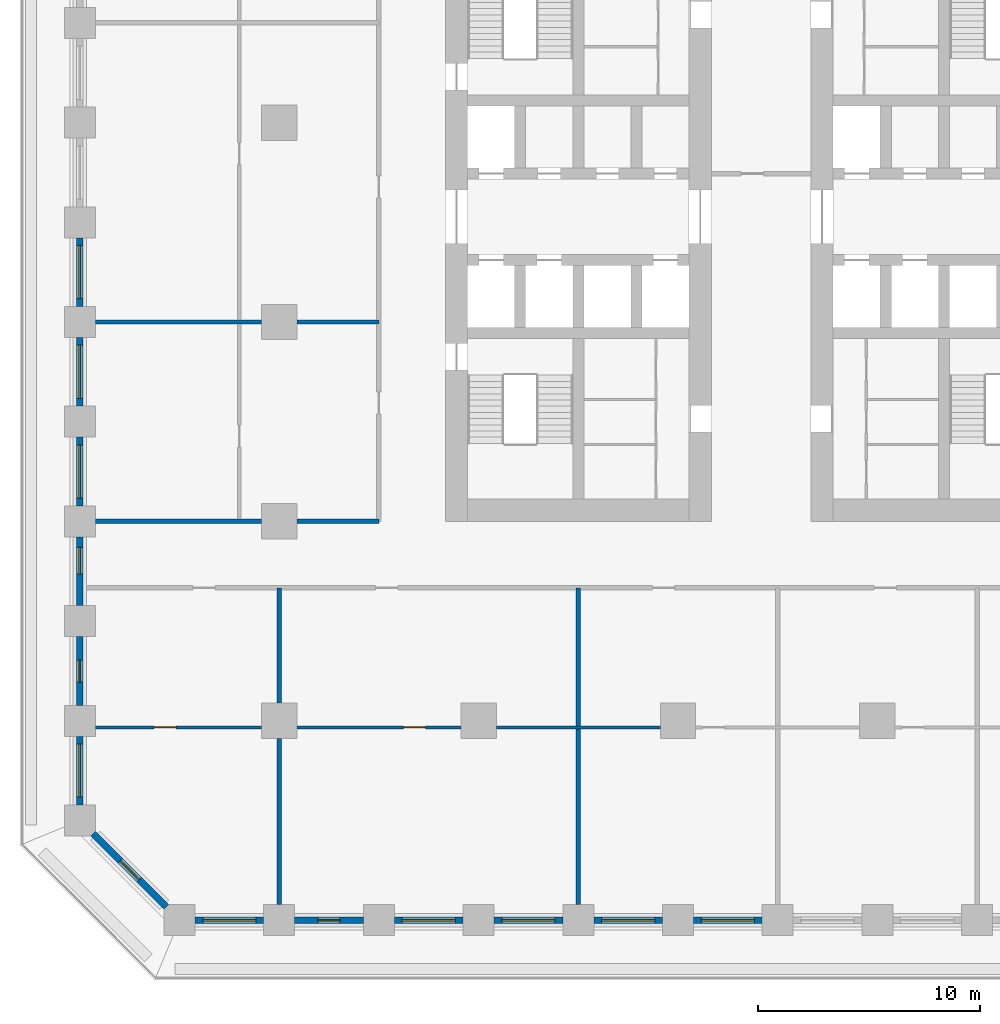
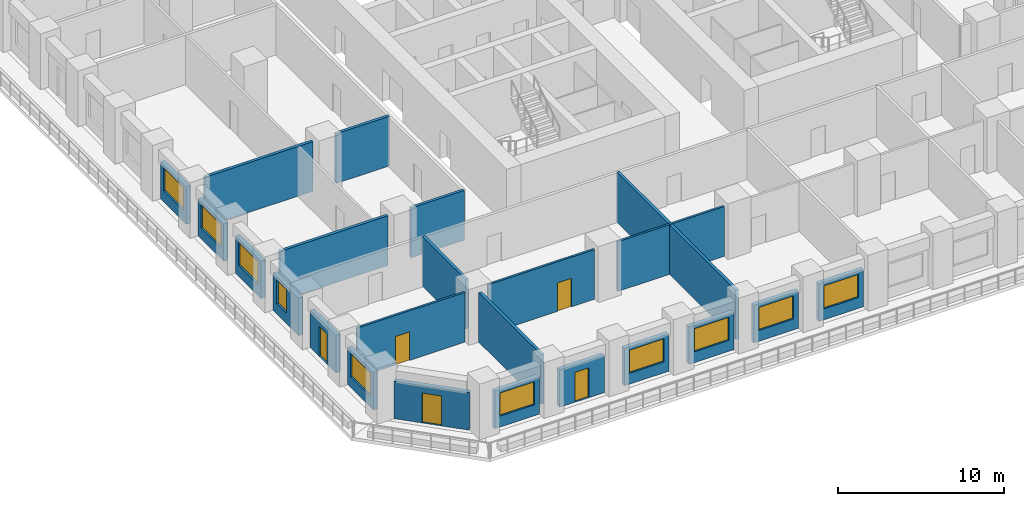
# One storey, part 25 of 42: 23 walls, 10 windows, 5 doors, 15 openings.
"""IFC4 building model written with IfcOpenShell, lengths in metres."""

from ifc_helpers import new_model, si_unit, direction, frame, frame_2d, origin, place, context, subcontext, project, spatial, rectangle, extrude, material, layer, layer_set, type_object, element, fill, save


model = new_model("IFC4")

# Units and contexts
model_context = context("Model", 3, precision=1e-05, world=origin(), true_north=direction((0.0, 1.0)))
body_context = subcontext(model_context, "Body", "Model", "MODEL_VIEW")
ifc_project = project(units=[si_unit("LENGTHUNIT", "METRE"), si_unit("AREAUNIT", "SQUARE_METRE"), si_unit("VOLUMEUNIT", "CUBIC_METRE"), si_unit("PLANEANGLEUNIT", "RADIAN"), si_unit("MASSUNIT", "GRAM", prefix="KILO")], contexts=[model_context])

# Site, building, storey
site_placement = place(None, origin())
site = spatial("IfcSite", under=ifc_project, at=site_placement, CompositionType="ELEMENT")
building_placement = place(site_placement, origin())
building = spatial("IfcBuilding", under=site, at=building_placement, Name="Corbel Stack Research Tower", CompositionType="ELEMENT")
storey_placement = place(building_placement, frame((0.0, 0.0, 11.300048828125)))
storey = spatial("IfcBuildingStorey", under=building, at=storey_placement, Name="L02", CompositionType="ELEMENT", Elevation=11.300048828125)

# Walls
ifc_material_1 = material(Name="Fire-rated gypsum board partition on steel studs", Category="steel")
ifc_layer_1 = layer(ifc_material_1, 0.199951171875)
ifc_layer_set_1 = layer_set([ifc_layer_1], Name="Fire-rated gypsum board partition on steel studs")
wall_type_1 = type_object("IfcWallType", Name="Fire-rated partition 200 EI 60", PredefinedType="PARTITIONING", material=ifc_layer_set_1)
wall_1_placement = place(storey_placement, frame((-18.0, -26.300048828125, 0.0), z_axis=(0.0, 0.0, 1.0), x_axis=(0.0, 1.0, 0.0)))
element("IfcWall", 1, at=wall_1_placement, inside=storey, type_object=wall_type_1, Name="Partition L02-002", PredefinedType="PARTITIONING", context=body_context, shape_type="SweptSolid", body=[
    extrude(rectangle(XDim=7.5, YDim=0.199951171875, at=frame_2d((3.75, 0.0))), origin(), (0.0, 0.0, 1.0), 3.64990234375),
])
wall_2_placement = place(storey_placement, frame((-18.0, -17.199951171875, 0.0), z_axis=(0.0, 0.0, 1.0), x_axis=(0.0, 1.0, 0.0)))
element("IfcWall", 2, at=wall_2_placement, inside=storey, type_object=wall_type_1, Name="Partition L02-003", PredefinedType="PARTITIONING", context=body_context, shape_type="SweptSolid", body=[
    extrude(rectangle(XDim=5.199951171875, YDim=0.199951171875, at=frame_2d((2.60009765625, 0.0))), origin(), (0.0, 0.0, 1.0), 3.64990234375),
])
wall_3_placement = place(storey_placement, frame((-4.5, -26.300048828125, 0.0), z_axis=(0.0, 0.0, 1.0), x_axis=(0.0, 1.0, 0.0)))
element("IfcWall", 3, at=wall_3_placement, inside=storey, type_object=wall_type_1, Name="Partition L02-006", PredefinedType="PARTITIONING", context=body_context, shape_type="SweptSolid", body=[
    extrude(rectangle(XDim=14.300048828125, YDim=0.199951171875, at=frame_2d((7.14990234375, 0.0))), origin(), (0.0, 0.0, 1.0), 3.64990234375),
])
wall_4_placement = place(storey_placement, frame((-26.300048828125, -9.0, 0.0), z_axis=(0.0, 0.0, 1.0), x_axis=(1.0, 0.0, 0.0)))
element("IfcWall", 4, at=wall_4_placement, inside=storey, type_object=wall_type_1, Name="Partition L02-024", PredefinedType="PARTITIONING", context=body_context, shape_type="SweptSolid", body=[
    extrude(rectangle(XDim=7.5, YDim=0.199951171875, at=frame_2d((3.75, 0.0))), origin(), (0.0, 0.0, 1.0), 3.64990234375),
])
wall_5_placement = place(storey_placement, frame((-17.199951171875, -9.0, 0.0), z_axis=(0.0, 0.0, 1.0), x_axis=(1.0, 0.0, 0.0)))
element("IfcWall", 5, at=wall_5_placement, inside=storey, type_object=wall_type_1, Name="Partition L02-025", PredefinedType="PARTITIONING", context=body_context, shape_type="SweptSolid", body=[
    extrude(rectangle(XDim=3.699951171875, YDim=0.199951171875, at=frame_2d((1.85009765625, 0.0))), origin(), (0.0, 0.0, 1.0), 3.64990234375),
])
wall_6_placement = place(storey_placement, frame((-26.300048828125, 0.0, 0.0), z_axis=(0.0, 0.0, 1.0), x_axis=(1.0, 0.0, 0.0)))
element("IfcWall", 6, at=wall_6_placement, inside=storey, type_object=wall_type_1, Name="Partition L02-028", PredefinedType="PARTITIONING", context=body_context, shape_type="SweptSolid", body=[
    extrude(rectangle(XDim=7.5, YDim=0.199951171875, at=frame_2d((3.75, 0.0))), origin(), (0.0, 0.0, 1.0), 3.64990234375),
])
wall_7_placement = place(storey_placement, frame((-17.199951171875, 0.0, 0.0), z_axis=(0.0, 0.0, 1.0), x_axis=(1.0, 0.0, 0.0)))
element("IfcWall", 7, at=wall_7_placement, inside=storey, type_object=wall_type_1, Name="Partition L02-029", PredefinedType="PARTITIONING", context=body_context, shape_type="SweptSolid", body=[
    extrude(rectangle(XDim=3.699951171875, YDim=0.199951171875, at=frame_2d((1.85009765625, 0.0))), origin(), (0.0, 0.0, 1.0), 3.64990234375),
])

# Wall, opening, door
ifc_material_2 = material(Name="Gypsum board partition on steel studs", Category="steel")
ifc_layer_2 = layer(ifc_material_2, 0.14990234375)
ifc_layer_set_2 = layer_set([ifc_layer_2], Name="Gypsum board partition on steel studs")
wall_type_2 = type_object("IfcWallType", Name="Partition 150", PredefinedType="PARTITIONING", material=ifc_layer_set_2)
wall_8_placement = place(storey_placement, frame((-18.800048828125, -18.300048828125, 0.0), z_axis=(0.0, 0.0, 1.0), x_axis=(-1.0, 0.0, 0.0)))
wall_8 = element("IfcWall", 8, at=wall_8_placement, inside=storey, type_object=wall_type_2, Name="Partition L02-016", PredefinedType="PARTITIONING", context=body_context, shape_type="SweptSolid", body=[
    extrude(rectangle(XDim=7.5, YDim=0.14990234375, at=frame_2d((3.75, 0.0))), origin(), (0.0, 0.0, 1.0), 3.64990234375),
])
opening_1_placement = place(wall_8_placement, frame((3.85009765625, 0.0, 0.0)))
opening_1 = element("IfcOpeningElement", 9, at=opening_1_placement, cuts=wall_8, Name="Opening B1V0-004", PredefinedType="OPENING", context=body_context, shape_type="SweptSolid", body=[
    extrude(rectangle(XDim=1.0, YDim=2.10009765625, at=frame_2d((0.5, 1.050048828125))), frame((0.0, 0.0849609375, 0.0), z_axis=(0.0, -1.0, 0.0), x_axis=(1.0, 0.0, 0.0)), (0.0, 0.0, 1.0), 0.169921875),
])
ifc_material_3 = material(Name="Painted timber door", Category="wood")
door_type_1 = type_object("IfcDoorType", Name="Single door 1000 x 2100", OperationType="NOTDEFINED", PredefinedType="DOOR", material=ifc_material_3)
door_1_placement = place(opening_1_placement, origin())
door_1 = element("IfcDoor", 10, at=door_1_placement, inside=storey, type_object=door_type_1, Name="Door B1V0-004", OperationType="SINGLE_SWING_RIGHT", OverallHeight=2.10009765625, OverallWidth=1.0, PredefinedType="DOOR", context=body_context, shape_type="SweptSolid", body=[
    extrude(rectangle(XDim=1.0, YDim=2.10009765625, at=frame_2d((0.5, 1.050048828125))), frame((0.0, 0.02490234375, 0.0), z_axis=(0.0, -1.0, 0.0), x_axis=(1.0, 0.0, 0.0)), (0.0, 0.0, 1.0), 0.050048828125),
])
fill(opening_1, door_1)

wall_9_placement = place(storey_placement, frame((-9.800048828125, -18.300048828125, 0.0), z_axis=(0.0, 0.0, 1.0), x_axis=(-1.0, 0.0, 0.0)))
wall_9 = element("IfcWall", 11, at=wall_9_placement, inside=storey, type_object=wall_type_2, Name="Partition L02-017", PredefinedType="PARTITIONING", context=body_context, shape_type="SweptSolid", body=[
    extrude(rectangle(XDim=7.39990234375, YDim=0.14990234375, at=frame_2d((3.699951171875, 0.0))), origin(), (0.0, 0.0, 1.0), 3.64990234375),
])
opening_2_placement = place(wall_9_placement, frame((1.60009765625, 0.0, 0.0)))
opening_2 = element("IfcOpeningElement", 12, at=opening_2_placement, cuts=wall_9, Name="Opening B1V0-005", PredefinedType="OPENING", context=body_context, shape_type="SweptSolid", body=[
    extrude(rectangle(XDim=1.0, YDim=2.10009765625, at=frame_2d((0.5, 1.050048828125))), frame((0.0, 0.0849609375, 0.0), z_axis=(0.0, -1.0, 0.0), x_axis=(1.0, 0.0, 0.0)), (0.0, 0.0, 1.0), 0.169921875),
])
door_2_placement = place(opening_2_placement, origin())
door_2 = element("IfcDoor", 13, at=door_2_placement, inside=storey, type_object=door_type_1, Name="Door B1V0-005", OperationType="SINGLE_SWING_LEFT", OverallHeight=2.10009765625, OverallWidth=1.0, PredefinedType="DOOR", context=body_context, shape_type="SweptSolid", body=[
    extrude(rectangle(XDim=1.0, YDim=2.10009765625, at=frame_2d((0.5, 1.050048828125))), frame((0.0, 0.02490234375, 0.0), z_axis=(0.0, -1.0, 0.0), x_axis=(1.0, 0.0, 0.0)), (0.0, 0.0, 1.0), 0.050048828125),
])
fill(opening_2, door_2)

# Wall
wall_10_placement = place(storey_placement, frame((-8.199951171875, -18.300048828125, 0.0), z_axis=(0.0, 0.0, 1.0), x_axis=(1.0, 0.0, 0.0)))
element("IfcWall", 14, at=wall_10_placement, inside=storey, type_object=wall_type_2, Name="Partition L02-018", PredefinedType="PARTITIONING", context=body_context, shape_type="SweptSolid", body=[
    extrude(rectangle(XDim=7.39990234375, YDim=0.14990234375, at=frame_2d((3.699951171875, 0.0))), origin(), (0.0, 0.0, 1.0), 3.64990234375),
])

# Wall, opening, window
ifc_material_4 = material(Name="Concrete C45/55", Category="concrete")
ifc_layer_3 = layer(ifc_material_4, 0.300048828125)
ifc_layer_set_3 = layer_set([ifc_layer_3], Name="Concrete C45/55")
wall_type_3 = type_object("IfcWallType", Name="Terracotta-faced concrete wall 300", PredefinedType="SOLIDWALL", material=ifc_layer_set_3)
wall_11_placement = place(storey_placement, frame((-18.699951171875, -27.0, 0.0), z_axis=(0.0, 0.0, 1.0), x_axis=(-1.0, 0.0, 0.0)))
wall_11 = element("IfcWall", 15, at=wall_11_placement, inside=storey, type_object=wall_type_3, Name="Facade wall L02 S01", PredefinedType="SOLIDWALL", context=body_context, shape_type="SweptSolid", body=[
    extrude(rectangle(XDim=3.10009765625, YDim=0.300048828125, at=frame_2d((1.550048828125, 0.0))), origin(), (0.0, 0.0, 1.0), 2.75),
])
opening_3_placement = place(wall_11_placement, frame((0.35009765625, 0.0, 0.800048828125)))
opening_3 = element("IfcOpeningElement", 16, at=opening_3_placement, cuts=wall_11, Name="Opening W1", PredefinedType="OPENING", context=body_context, shape_type="SweptSolid", body=[
    extrude(rectangle(XDim=2.39990234375, YDim=1.699951171875, at=frame_2d((1.199951171875, 0.85009765625))), frame((0.0, 0.159912109375, 0.0), z_axis=(0.0, -1.0, 0.0), x_axis=(1.0, 0.0, 0.0)), (0.0, 0.0, 1.0), 0.320068359375),
])
ifc_material_5 = material(Name="Aluminium frame, clear double glazing", Category="aluminium")
window_type_1 = type_object("IfcWindowType", Name="Window W1 2400 x 1700", PartitioningType="SINGLE_PANEL", PredefinedType="WINDOW", material=ifc_material_5)
window_1_placement = place(opening_3_placement, origin())
window_1 = element("IfcWindow", 17, at=window_1_placement, inside=storey, type_object=window_type_1, Name="Window W1 L02 S01", OverallHeight=1.699951171875, OverallWidth=2.39990234375, PartitioningType="SINGLE_PANEL", PredefinedType="WINDOW", context=body_context, shape_type="SweptSolid", body=[
    extrude(rectangle(XDim=2.39990234375, YDim=1.699951171875, at=frame_2d((1.199951171875, 0.85009765625))), frame((0.0, 0.030029296875, 0.0), z_axis=(0.0, -1.0, 0.0), x_axis=(1.0, 0.0, 0.0)), (0.0, 0.0, 1.0), 0.06005859375),
])
fill(opening_3, window_1)

# Wall, opening, door
wall_12_placement = place(storey_placement, frame((-14.199951171875, -27.0, 0.0), z_axis=(0.0, 0.0, 1.0), x_axis=(-1.0, 0.0, 0.0)))
wall_12 = element("IfcWall", 18, at=wall_12_placement, inside=storey, type_object=wall_type_3, Name="Facade wall L02 S02", PredefinedType="SOLIDWALL", context=body_context, shape_type="SweptSolid", body=[
    extrude(rectangle(XDim=3.10009765625, YDim=0.300048828125, at=frame_2d((1.550048828125, 0.0))), origin(), (0.0, 0.0, 1.0), 2.75),
])
opening_4_placement = place(wall_12_placement, frame((1.050048828125, 0.0, 0.0)))
opening_4 = element("IfcOpeningElement", 19, at=opening_4_placement, cuts=wall_12, Name="Opening L02-B01", PredefinedType="OPENING", context=body_context, shape_type="SweptSolid", body=[
    extrude(rectangle(XDim=1.0, YDim=2.199951171875, at=frame_2d((0.5, 1.10009765625))), frame((0.0, 0.159912109375, 0.0), z_axis=(0.0, -1.0, 0.0), x_axis=(1.0, 0.0, 0.0)), (0.0, 0.0, 1.0), 0.320068359375),
])
ifc_material_6 = material(Name="Aluminium frame, clear double glazing", Category="aluminium")
door_type_2 = type_object("IfcDoorType", Name="Balcony door BD1 1000 x 2200", OperationType="NOTDEFINED", PredefinedType="DOOR", material=ifc_material_6)
door_3_placement = place(opening_4_placement, origin())
door_3 = element("IfcDoor", 20, at=door_3_placement, inside=storey, type_object=door_type_2, Name="Balcony door L02-B01", OperationType="SINGLE_SWING_RIGHT", OverallHeight=2.199951171875, OverallWidth=1.0, PredefinedType="DOOR", context=body_context, shape_type="SweptSolid", body=[
    extrude(rectangle(XDim=1.0, YDim=2.199951171875, at=frame_2d((0.5, 1.10009765625))), frame((0.0, 0.02490234375, 0.0), z_axis=(0.0, -1.0, 0.0), x_axis=(1.0, 0.0, 0.0)), (0.0, 0.0, 1.0), 0.050048828125),
])
fill(opening_4, door_3)

# Wall, opening, window
wall_13_placement = place(storey_placement, frame((-9.699951171875, -27.0, 0.0), z_axis=(0.0, 0.0, 1.0), x_axis=(-1.0, 0.0, 0.0)))
wall_13 = element("IfcWall", 21, at=wall_13_placement, inside=storey, type_object=wall_type_3, Name="Facade wall L02 S03", PredefinedType="SOLIDWALL", context=body_context, shape_type="SweptSolid", body=[
    extrude(rectangle(XDim=3.10009765625, YDim=0.300048828125, at=frame_2d((1.550048828125, 0.0))), origin(), (0.0, 0.0, 1.0), 2.75),
])
opening_5_placement = place(wall_13_placement, frame((0.35009765625, 0.0, 0.800048828125)))
opening_5 = element("IfcOpeningElement", 22, at=opening_5_placement, cuts=wall_13, Name="Opening W1", PredefinedType="OPENING", context=body_context, shape_type="SweptSolid", body=[
    extrude(rectangle(XDim=2.39990234375, YDim=1.699951171875, at=frame_2d((1.199951171875, 0.85009765625))), frame((0.0, 0.159912109375, 0.0), z_axis=(0.0, -1.0, 0.0), x_axis=(1.0, 0.0, 0.0)), (0.0, 0.0, 1.0), 0.320068359375),
])
window_2_placement = place(opening_5_placement, origin())
window_2 = element("IfcWindow", 23, at=window_2_placement, inside=storey, type_object=window_type_1, Name="Window W1 L02 S03", OverallHeight=1.699951171875, OverallWidth=2.39990234375, PartitioningType="SINGLE_PANEL", PredefinedType="WINDOW", context=body_context, shape_type="SweptSolid", body=[
    extrude(rectangle(XDim=2.39990234375, YDim=1.699951171875, at=frame_2d((1.199951171875, 0.85009765625))), frame((0.0, 0.030029296875, 0.0), z_axis=(0.0, -1.0, 0.0), x_axis=(1.0, 0.0, 0.0)), (0.0, 0.0, 1.0), 0.06005859375),
])
fill(opening_5, window_2)

wall_14_placement = place(storey_placement, frame((-5.199951171875, -27.0, 0.0), z_axis=(0.0, 0.0, 1.0), x_axis=(-1.0, 0.0, 0.0)))
wall_14 = element("IfcWall", 24, at=wall_14_placement, inside=storey, type_object=wall_type_3, Name="Facade wall L02 S04", PredefinedType="SOLIDWALL", context=body_context, shape_type="SweptSolid", body=[
    extrude(rectangle(XDim=3.10009765625, YDim=0.300048828125, at=frame_2d((1.550048828125, 0.0))), origin(), (0.0, 0.0, 1.0), 2.75),
])
opening_6_placement = place(wall_14_placement, frame((0.35009765625, 0.0, 0.800048828125)))
opening_6 = element("IfcOpeningElement", 25, at=opening_6_placement, cuts=wall_14, Name="Opening W1", PredefinedType="OPENING", context=body_context, shape_type="SweptSolid", body=[
    extrude(rectangle(XDim=2.39990234375, YDim=1.699951171875, at=frame_2d((1.199951171875, 0.85009765625))), frame((0.0, 0.159912109375, 0.0), z_axis=(0.0, -1.0, 0.0), x_axis=(1.0, 0.0, 0.0)), (0.0, 0.0, 1.0), 0.320068359375),
])
window_3_placement = place(opening_6_placement, origin())
window_3 = element("IfcWindow", 26, at=window_3_placement, inside=storey, type_object=window_type_1, Name="Window W1 L02 S04", OverallHeight=1.699951171875, OverallWidth=2.39990234375, PartitioningType="SINGLE_PANEL", PredefinedType="WINDOW", context=body_context, shape_type="SweptSolid", body=[
    extrude(rectangle(XDim=2.39990234375, YDim=1.699951171875, at=frame_2d((1.199951171875, 0.85009765625))), frame((0.0, 0.030029296875, 0.0), z_axis=(0.0, -1.0, 0.0), x_axis=(1.0, 0.0, 0.0)), (0.0, 0.0, 1.0), 0.06005859375),
])
fill(opening_6, window_3)

wall_15_placement = place(storey_placement, frame((-0.699951171875, -27.0, 0.0), z_axis=(0.0, 0.0, 1.0), x_axis=(-1.0, 0.0, 0.0)))
wall_15 = element("IfcWall", 27, at=wall_15_placement, inside=storey, type_object=wall_type_3, Name="Facade wall L02 S05", PredefinedType="SOLIDWALL", context=body_context, shape_type="SweptSolid", body=[
    extrude(rectangle(XDim=3.10009765625, YDim=0.300048828125, at=frame_2d((1.550048828125, 0.0))), origin(), (0.0, 0.0, 1.0), 2.75),
])
opening_7_placement = place(wall_15_placement, frame((0.35009765625, 0.0, 0.800048828125)))
opening_7 = element("IfcOpeningElement", 28, at=opening_7_placement, cuts=wall_15, Name="Opening W1", PredefinedType="OPENING", context=body_context, shape_type="SweptSolid", body=[
    extrude(rectangle(XDim=2.39990234375, YDim=1.699951171875, at=frame_2d((1.199951171875, 0.85009765625))), frame((0.0, 0.159912109375, 0.0), z_axis=(0.0, -1.0, 0.0), x_axis=(1.0, 0.0, 0.0)), (0.0, 0.0, 1.0), 0.320068359375),
])
window_4_placement = place(opening_7_placement, origin())
window_4 = element("IfcWindow", 29, at=window_4_placement, inside=storey, type_object=window_type_1, Name="Window W1 L02 S05", OverallHeight=1.699951171875, OverallWidth=2.39990234375, PartitioningType="SINGLE_PANEL", PredefinedType="WINDOW", context=body_context, shape_type="SweptSolid", body=[
    extrude(rectangle(XDim=2.39990234375, YDim=1.699951171875, at=frame_2d((1.199951171875, 0.85009765625))), frame((0.0, 0.030029296875, 0.0), z_axis=(0.0, -1.0, 0.0), x_axis=(1.0, 0.0, 0.0)), (0.0, 0.0, 1.0), 0.06005859375),
])
fill(opening_7, window_4)

wall_16_placement = place(storey_placement, frame((3.800048828125, -27.0, 0.0), z_axis=(0.0, 0.0, 1.0), x_axis=(-1.0, 0.0, 0.0)))
wall_16 = element("IfcWall", 30, at=wall_16_placement, inside=storey, type_object=wall_type_3, Name="Facade wall L02 S06", PredefinedType="SOLIDWALL", context=body_context, shape_type="SweptSolid", body=[
    extrude(rectangle(XDim=3.10009765625, YDim=0.300048828125, at=frame_2d((1.550048828125, 0.0))), origin(), (0.0, 0.0, 1.0), 2.75),
])
opening_8_placement = place(wall_16_placement, frame((0.35009765625, 0.0, 0.800048828125)))
opening_8 = element("IfcOpeningElement", 31, at=opening_8_placement, cuts=wall_16, Name="Opening W1", PredefinedType="OPENING", context=body_context, shape_type="SweptSolid", body=[
    extrude(rectangle(XDim=2.39990234375, YDim=1.699951171875, at=frame_2d((1.199951171875, 0.85009765625))), frame((0.0, 0.159912109375, 0.0), z_axis=(0.0, -1.0, 0.0), x_axis=(1.0, 0.0, 0.0)), (0.0, 0.0, 1.0), 0.320068359375),
])
window_5_placement = place(opening_8_placement, origin())
window_5 = element("IfcWindow", 32, at=window_5_placement, inside=storey, type_object=window_type_1, Name="Window W1 L02 S06", OverallHeight=1.699951171875, OverallWidth=2.39990234375, PartitioningType="SINGLE_PANEL", PredefinedType="WINDOW", context=body_context, shape_type="SweptSolid", body=[
    extrude(rectangle(XDim=2.39990234375, YDim=1.699951171875, at=frame_2d((1.199951171875, 0.85009765625))), frame((0.0, 0.030029296875, 0.0), z_axis=(0.0, -1.0, 0.0), x_axis=(1.0, 0.0, 0.0)), (0.0, 0.0, 1.0), 0.06005859375),
])
fill(opening_8, window_5)

wall_17_placement = place(storey_placement, frame((-27.0, 0.699951171875, 0.0), z_axis=(0.0, 0.0, 1.0), x_axis=(0.0, 1.0, 0.0)))
wall_17 = element("IfcWall", 33, at=wall_17_placement, inside=storey, type_object=wall_type_3, Name="Facade wall L02 W05", PredefinedType="SOLIDWALL", context=body_context, shape_type="SweptSolid", body=[
    extrude(rectangle(XDim=3.10009765625, YDim=0.300048828125, at=frame_2d((1.550048828125, 0.0))), origin(), (0.0, 0.0, 1.0), 2.75),
])
opening_9_placement = place(wall_17_placement, frame((0.35009765625, 0.0, 0.800048828125)))
opening_9 = element("IfcOpeningElement", 34, at=opening_9_placement, cuts=wall_17, Name="Opening W1", PredefinedType="OPENING", context=body_context, shape_type="SweptSolid", body=[
    extrude(rectangle(XDim=2.39990234375, YDim=1.699951171875, at=frame_2d((1.199951171875, 0.85009765625))), frame((0.0, 0.159912109375, 0.0), z_axis=(0.0, -1.0, 0.0), x_axis=(1.0, 0.0, 0.0)), (0.0, 0.0, 1.0), 0.320068359375),
])
window_6_placement = place(opening_9_placement, origin())
window_6 = element("IfcWindow", 35, at=window_6_placement, inside=storey, type_object=window_type_1, Name="Window W1 L02 W05", OverallHeight=1.699951171875, OverallWidth=2.39990234375, PartitioningType="SINGLE_PANEL", PredefinedType="WINDOW", context=body_context, shape_type="SweptSolid", body=[
    extrude(rectangle(XDim=2.39990234375, YDim=1.699951171875, at=frame_2d((1.199951171875, 0.85009765625))), frame((0.0, 0.030029296875, 0.0), z_axis=(0.0, -1.0, 0.0), x_axis=(1.0, 0.0, 0.0)), (0.0, 0.0, 1.0), 0.06005859375),
])
fill(opening_9, window_6)

wall_18_placement = place(storey_placement, frame((-27.0, -3.800048828125, 0.0), z_axis=(0.0, 0.0, 1.0), x_axis=(0.0, 1.0, 0.0)))
wall_18 = element("IfcWall", 36, at=wall_18_placement, inside=storey, type_object=wall_type_3, Name="Facade wall L02 W06", PredefinedType="SOLIDWALL", context=body_context, shape_type="SweptSolid", body=[
    extrude(rectangle(XDim=3.10009765625, YDim=0.300048828125, at=frame_2d((1.550048828125, 0.0))), origin(), (0.0, 0.0, 1.0), 2.75),
])
opening_10_placement = place(wall_18_placement, frame((0.35009765625, 0.0, 0.800048828125)))
opening_10 = element("IfcOpeningElement", 37, at=opening_10_placement, cuts=wall_18, Name="Opening W1", PredefinedType="OPENING", context=body_context, shape_type="SweptSolid", body=[
    extrude(rectangle(XDim=2.39990234375, YDim=1.699951171875, at=frame_2d((1.199951171875, 0.85009765625))), frame((0.0, 0.159912109375, 0.0), z_axis=(0.0, -1.0, 0.0), x_axis=(1.0, 0.0, 0.0)), (0.0, 0.0, 1.0), 0.320068359375),
])
window_7_placement = place(opening_10_placement, origin())
window_7 = element("IfcWindow", 38, at=window_7_placement, inside=storey, type_object=window_type_1, Name="Window W1 L02 W06", OverallHeight=1.699951171875, OverallWidth=2.39990234375, PartitioningType="SINGLE_PANEL", PredefinedType="WINDOW", context=body_context, shape_type="SweptSolid", body=[
    extrude(rectangle(XDim=2.39990234375, YDim=1.699951171875, at=frame_2d((1.199951171875, 0.85009765625))), frame((0.0, 0.030029296875, 0.0), z_axis=(0.0, -1.0, 0.0), x_axis=(1.0, 0.0, 0.0)), (0.0, 0.0, 1.0), 0.06005859375),
])
fill(opening_10, window_7)

wall_19_placement = place(storey_placement, frame((-27.0, -8.300048828125, 0.0), z_axis=(0.0, 0.0, 1.0), x_axis=(0.0, 1.0, 0.0)))
wall_19 = element("IfcWall", 39, at=wall_19_placement, inside=storey, type_object=wall_type_3, Name="Facade wall L02 W07", PredefinedType="SOLIDWALL", context=body_context, shape_type="SweptSolid", body=[
    extrude(rectangle(XDim=3.10009765625, YDim=0.300048828125, at=frame_2d((1.550048828125, 0.0))), origin(), (0.0, 0.0, 1.0), 2.75),
])
opening_11_placement = place(wall_19_placement, frame((0.35009765625, 0.0, 0.800048828125)))
opening_11 = element("IfcOpeningElement", 40, at=opening_11_placement, cuts=wall_19, Name="Opening W1", PredefinedType="OPENING", context=body_context, shape_type="SweptSolid", body=[
    extrude(rectangle(XDim=2.39990234375, YDim=1.699951171875, at=frame_2d((1.199951171875, 0.85009765625))), frame((0.0, 0.159912109375, 0.0), z_axis=(0.0, -1.0, 0.0), x_axis=(1.0, 0.0, 0.0)), (0.0, 0.0, 1.0), 0.320068359375),
])
window_8_placement = place(opening_11_placement, origin())
window_8 = element("IfcWindow", 41, at=window_8_placement, inside=storey, type_object=window_type_1, Name="Window W1 L02 W07", OverallHeight=1.699951171875, OverallWidth=2.39990234375, PartitioningType="SINGLE_PANEL", PredefinedType="WINDOW", context=body_context, shape_type="SweptSolid", body=[
    extrude(rectangle(XDim=2.39990234375, YDim=1.699951171875, at=frame_2d((1.199951171875, 0.85009765625))), frame((0.0, 0.030029296875, 0.0), z_axis=(0.0, -1.0, 0.0), x_axis=(1.0, 0.0, 0.0)), (0.0, 0.0, 1.0), 0.06005859375),
])
fill(opening_11, window_8)

wall_20_placement = place(storey_placement, frame((-27.0, -12.800048828125, 0.0), z_axis=(0.0, 0.0, 1.0), x_axis=(0.0, 1.0, 0.0)))
wall_20 = element("IfcWall", 42, at=wall_20_placement, inside=storey, type_object=wall_type_3, Name="Facade wall L02 W08", PredefinedType="SOLIDWALL", context=body_context, shape_type="SweptSolid", body=[
    extrude(rectangle(XDim=3.10009765625, YDim=0.300048828125, at=frame_2d((1.550048828125, 0.0))), origin(), (0.0, 0.0, 1.0), 2.75),
])
opening_12_placement = place(wall_20_placement, frame((1.425048828125, 0.0, 0.800048828125)))
opening_12 = element("IfcOpeningElement", 43, at=opening_12_placement, cuts=wall_20, Name="Opening W2", PredefinedType="OPENING", context=body_context, shape_type="SweptSolid", body=[
    extrude(rectangle(XDim=1.199951171875, YDim=1.699951171875, at=frame_2d((0.60009765625, 0.85009765625))), frame((0.0, 0.159912109375, 0.0), z_axis=(0.0, -1.0, 0.0), x_axis=(1.0, 0.0, 0.0)), (0.0, 0.0, 1.0), 0.320068359375),
])
ifc_material_7 = material(Name="Aluminium frame, clear double glazing", Category="aluminium")
window_type_2 = type_object("IfcWindowType", Name="Window W2 1200 x 1700", PartitioningType="SINGLE_PANEL", PredefinedType="WINDOW", material=ifc_material_7)
window_9_placement = place(opening_12_placement, origin())
window_9 = element("IfcWindow", 44, at=window_9_placement, inside=storey, type_object=window_type_2, Name="Window W2 L02 W08", OverallHeight=1.699951171875, OverallWidth=1.199951171875, PartitioningType="SINGLE_PANEL", PredefinedType="WINDOW", context=body_context, shape_type="SweptSolid", body=[
    extrude(rectangle(XDim=1.199951171875, YDim=1.699951171875, at=frame_2d((0.60009765625, 0.85009765625))), frame((0.0, 0.030029296875, 0.0), z_axis=(0.0, -1.0, 0.0), x_axis=(1.0, 0.0, 0.0)), (0.0, 0.0, 1.0), 0.06005859375),
])
fill(opening_12, window_9)

# Wall, opening, door
wall_21_placement = place(storey_placement, frame((-27.0, -17.300048828125, 0.0), z_axis=(0.0, 0.0, 1.0), x_axis=(0.0, 1.0, 0.0)))
wall_21 = element("IfcWall", 45, at=wall_21_placement, inside=storey, type_object=wall_type_3, Name="Facade wall L02 W09", PredefinedType="SOLIDWALL", context=body_context, shape_type="SweptSolid", body=[
    extrude(rectangle(XDim=3.10009765625, YDim=0.300048828125, at=frame_2d((1.550048828125, 0.0))), origin(), (0.0, 0.0, 1.0), 2.75),
])
opening_13_placement = place(wall_21_placement, frame((1.050048828125, 0.0, 0.0)))
opening_13 = element("IfcOpeningElement", 46, at=opening_13_placement, cuts=wall_21, Name="Opening L02-B11", PredefinedType="OPENING", context=body_context, shape_type="SweptSolid", body=[
    extrude(rectangle(XDim=1.0, YDim=2.199951171875, at=frame_2d((0.5, 1.10009765625))), frame((0.0, 0.159912109375, 0.0), z_axis=(0.0, -1.0, 0.0), x_axis=(1.0, 0.0, 0.0)), (0.0, 0.0, 1.0), 0.320068359375),
])
door_4_placement = place(opening_13_placement, origin())
door_4 = element("IfcDoor", 47, at=door_4_placement, inside=storey, type_object=door_type_2, Name="Balcony door L02-B11", OperationType="SINGLE_SWING_LEFT", OverallHeight=2.199951171875, OverallWidth=1.0, PredefinedType="DOOR", context=body_context, shape_type="SweptSolid", body=[
    extrude(rectangle(XDim=1.0, YDim=2.199951171875, at=frame_2d((0.5, 1.10009765625))), frame((0.0, 0.02490234375, 0.0), z_axis=(0.0, -1.0, 0.0), x_axis=(1.0, 0.0, 0.0)), (0.0, 0.0, 1.0), 0.050048828125),
])
fill(opening_13, door_4)

# Wall, opening, window
wall_22_placement = place(storey_placement, frame((-27.0, -21.800048828125, 0.0), z_axis=(0.0, 0.0, 1.0), x_axis=(0.0, 1.0, 0.0)))
wall_22 = element("IfcWall", 48, at=wall_22_placement, inside=storey, type_object=wall_type_3, Name="Facade wall L02 W10", PredefinedType="SOLIDWALL", context=body_context, shape_type="SweptSolid", body=[
    extrude(rectangle(XDim=3.10009765625, YDim=0.300048828125, at=frame_2d((1.550048828125, 0.0))), origin(), (0.0, 0.0, 1.0), 2.75),
])
opening_14_placement = place(wall_22_placement, frame((0.35009765625, 0.0, 0.800048828125)))
opening_14 = element("IfcOpeningElement", 49, at=opening_14_placement, cuts=wall_22, Name="Opening W1", PredefinedType="OPENING", context=body_context, shape_type="SweptSolid", body=[
    extrude(rectangle(XDim=2.39990234375, YDim=1.699951171875, at=frame_2d((1.199951171875, 0.85009765625))), frame((0.0, 0.159912109375, 0.0), z_axis=(0.0, -1.0, 0.0), x_axis=(1.0, 0.0, 0.0)), (0.0, 0.0, 1.0), 0.320068359375),
])
window_10_placement = place(opening_14_placement, origin())
window_10 = element("IfcWindow", 50, at=window_10_placement, inside=storey, type_object=window_type_1, Name="Window W1 L02 W10", OverallHeight=1.699951171875, OverallWidth=2.39990234375, PartitioningType="SINGLE_PANEL", PredefinedType="WINDOW", context=body_context, shape_type="SweptSolid", body=[
    extrude(rectangle(XDim=2.39990234375, YDim=1.699951171875, at=frame_2d((1.199951171875, 0.85009765625))), frame((0.0, 0.030029296875, 0.0), z_axis=(0.0, -1.0, 0.0), x_axis=(1.0, 0.0, 0.0)), (0.0, 0.0, 1.0), 0.06005859375),
])
fill(opening_14, window_10)

# Wall, opening, door
wall_23_placement = place(storey_placement, frame((-23.093994140625, -26.406005859375, 0.0), z_axis=(0.0, 0.0, 1.0), x_axis=(-0.707106781187, 0.707106781187, 0.0)))
wall_23 = element("IfcWall", 51, at=wall_23_placement, inside=storey, type_object=wall_type_3, Name="Facade wall L02 SW01", PredefinedType="SOLIDWALL", context=body_context, shape_type="SweptSolid", body=[
    extrude(rectangle(XDim=4.683837890625, YDim=0.300048828125, at=frame_2d((2.341796875, 0.0))), origin(), (0.0, 0.0, 1.0), 2.75),
])
opening_15_placement = place(wall_23_placement, frame((1.741943359375, 0.0, 0.0)))
opening_15 = element("IfcOpeningElement", 52, at=opening_15_placement, cuts=wall_23, Name="Opening L02-B12", PredefinedType="OPENING", context=body_context, shape_type="SweptSolid", body=[
    extrude(rectangle(XDim=1.199951171875, YDim=2.199951171875, at=frame_2d((0.60009765625, 1.10009765625))), frame((0.0, 0.159912109375, 0.0), z_axis=(0.0, -1.0, 0.0), x_axis=(1.0, 0.0, 0.0)), (0.0, 0.0, 1.0), 0.320068359375),
])
ifc_material_8 = material(Name="Aluminium frame, clear double glazing", Category="aluminium")
door_type_3 = type_object("IfcDoorType", Name="Balcony door BD2 1200 x 2200", OperationType="NOTDEFINED", PredefinedType="DOOR", material=ifc_material_8)
door_5_placement = place(opening_15_placement, origin())
door_5 = element("IfcDoor", 53, at=door_5_placement, inside=storey, type_object=door_type_3, Name="Balcony door L02-B12", OperationType="SINGLE_SWING_LEFT", OverallHeight=2.199951171875, OverallWidth=1.199951171875, PredefinedType="DOOR", context=body_context, shape_type="SweptSolid", body=[
    extrude(rectangle(XDim=1.199951171875, YDim=2.199951171875, at=frame_2d((0.60009765625, 1.10009765625))), frame((0.0, 0.02490234375, 0.0), z_axis=(0.0, -1.0, 0.0), x_axis=(1.0, 0.0, 0.0)), (0.0, 0.0, 1.0), 0.050048828125),
])
fill(opening_15, door_5)

save(model, "model.ifc")
